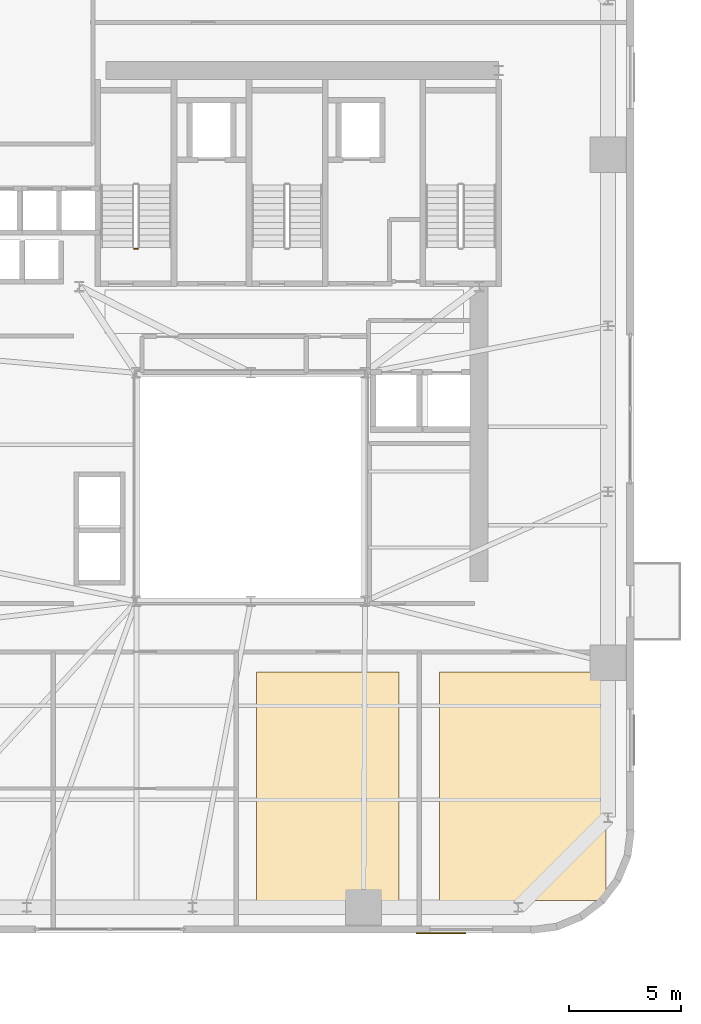
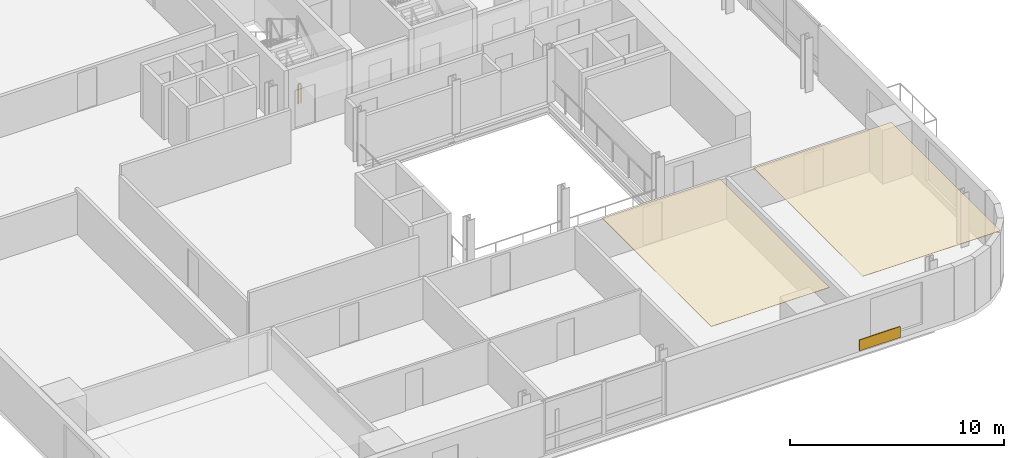
# One storey, part 11 of 14: 3 coverings, 1 railing.
"""IFC4 building model written with IfcOpenShell, lengths in metres."""

from ifc_helpers import new_model, si_unit, direction, frame, origin, origin_2d, place, context, subcontext, project, spatial, polyline, rectangle, outline, extrude, source, transform, mapped, material, layer, layer_set, type_object, element, save


model = new_model("IFC4")

# Units and contexts
model_context = context("Model", 3, precision=1e-05, world=origin(), true_north=direction((0.0, 1.0)))
body_context = subcontext(model_context, "Body", "Model", "MODEL_VIEW")
ifc_project = project(units=[si_unit("LENGTHUNIT", "METRE"), si_unit("AREAUNIT", "SQUARE_METRE"), si_unit("VOLUMEUNIT", "CUBIC_METRE"), si_unit("PLANEANGLEUNIT", "RADIAN"), si_unit("MASSUNIT", "GRAM", prefix="KILO")], contexts=[model_context])

# Site, building, storey
site_placement = place(None, origin())
site = spatial("IfcSite", under=ifc_project, at=site_placement, CompositionType="ELEMENT")
building_placement = place(site_placement, origin())
building = spatial("IfcBuilding", under=site, at=building_placement, Name="Vardaveli Station Tower", CompositionType="ELEMENT")
storey_placement = place(building_placement, frame((0.0, 0.0, 163.10009765625)))
storey = spatial("IfcBuildingStorey", under=building, at=storey_placement, Name="L42", CompositionType="ELEMENT", Elevation=163.10009765625)

# Coverings
ifc_material_1 = material(Name="Perforated acoustic mineral ceiling")
ifc_layer_1 = layer(ifc_material_1, 0.02001953125, Name="Perforated acoustic mineral ceiling")
ifc_layer_set_1 = layer_set([ifc_layer_1], Name="Perforated acoustic mineral ceiling")
covering_type_1 = type_object("IfcCoveringType", Name="COV-CEIL-AC20", PredefinedType="CEILING", material=ifc_layer_set_1)
covering_1_placement = place(storey_placement, frame((0.0, 0.0, 3.034912109375)))
element("IfcCovering", 1, at=covering_1_placement, inside=storey, type_object=covering_type_1, Name="CEIL-L42-2", PredefinedType="CEILING", context=body_context, shape_type="SweptSolid", body=[
    extrude(outline(polyline([(36.56005859375, 3.25), (42.929931640625, 3.25), (42.929931640625, 13.449951171875), (36.56005859375, 13.449951171875), (36.56005859375, 3.25)])), origin(), (0.0, 0.0, 1.0), 0.02001953125),
])
covering_2_placement = place(storey_placement, frame((0.0, 0.0, 3.034912109375)))
element("IfcCovering", 2, at=covering_2_placement, inside=storey, type_object=covering_type_1, Name="CEIL-L42-3", PredefinedType="CEILING", context=body_context, shape_type="SweptSolid", body=[
    extrude(outline(polyline([(44.72998046875, 3.25), (52.14990234375, 3.25), (52.14990234375, 13.449951171875), (44.72998046875, 13.449951171875), (44.72998046875, 3.25)])), origin(), (0.0, 0.0, 1.0), 0.02001953125),
])
ifc_material_2 = material(Name="Ventilated honed travertine stone cladding", Category="masonry")
ifc_layer_2 = layer(ifc_material_2, 0.044921875, Name="Ventilated honed travertine stone cladding")
ifc_layer_set_2 = layer_set([ifc_layer_2], Name="Ventilated honed travertine stone cladding")
covering_type_2 = type_object("IfcCoveringType", Name="COV-CLAD-TR45", PredefinedType="CLADDING", material=ifc_layer_set_2)
shared_shape_1 = source(origin(), body_context, "Body", "SweptSolid", [
    extrude(rectangle(XDim=2.199951171875, YDim=0.044921875, at=origin_2d()), origin(), (0.0, 0.0, 1.0), 0.6201171875),
])
covering_3_placement = place(storey_placement, frame((44.794921875, 1.785400390625, 0.06982421875), z_axis=(0.0, 0.0, 1.0), x_axis=(1.0, 0.0, 0.0)))
element("IfcCovering", 3, at=covering_3_placement, inside=storey, type_object=covering_type_2, Name="CLD-TR-L42-S", PredefinedType="CLADDING", context=body_context, shape_type="MappedRepresentation", body=[
    mapped(shared_shape_1, transform((0.0, 0.0, 0.0), scale=1.0)),
])

# Railing
ifc_material_3 = material(Name="Brushed AISI 316 stainless steel", Category="steel")
railing_type = type_object("IfcRailingType", Name="RL-GUARD-1150", PredefinedType="GUARDRAIL", material=ifc_material_3)
shared_shape_2 = source(origin(), body_context, "Body", "SweptSolid", [
    extrude(rectangle(XDim=0.048095703125, YDim=0.048095703125, at=origin_2d()), frame((0.0, 0.0, 1.1259765625), z_axis=(-1.0, 0.0, 0.0), x_axis=(0.0, -1.0, 0.0)), (0.0, 0.0, 1.0), 0.14990234375),
    extrude(rectangle(XDim=0.0419921875, YDim=0.0419921875, at=origin_2d()), origin(), (0.0, 0.0, 1.0), 1.101806640625),
    extrude(rectangle(XDim=0.0419921875, YDim=0.0419921875, at=origin_2d()), frame((-0.14990234375, 0.0, 0.0)), (0.0, 0.0, 1.0), 1.101806640625),
])
railing_placement = place(storey_placement, frame((31.25, 32.35009765625, 0.0)))
element("IfcRailing", 4, at=railing_placement, inside=storey, type_object=railing_type, Name="L42 ST-1 stair guard 4", PredefinedType="GUARDRAIL", context=body_context, shape_type="MappedRepresentation", body=[
    mapped(shared_shape_2, transform((0.0, 0.0, 0.0), scale=1.0)),
])

save(model, "model.ifc")
